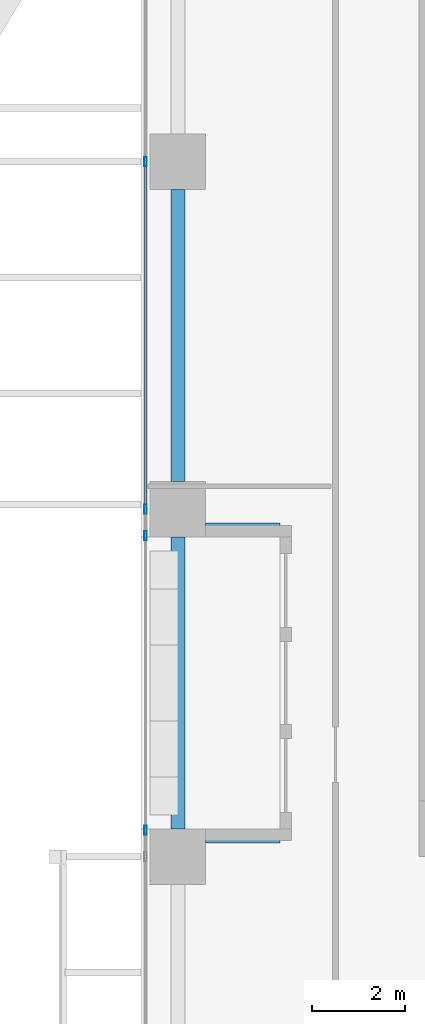
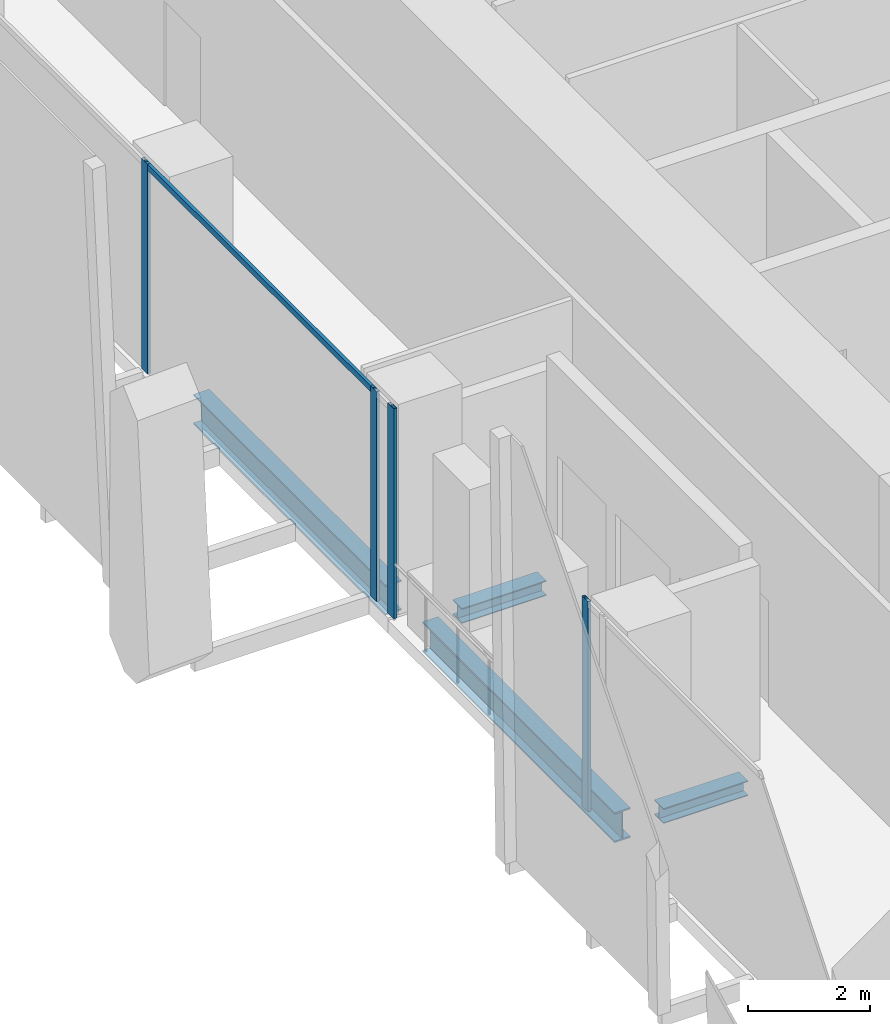
# One storey, part 5 of 35: 5 members, 4 beams, 2 elements without a shape of their own.
"""IFC4 building model written with IfcOpenShell, lengths in metres."""

from ifc_helpers import new_model, si_unit, direction, frame, origin, origin_2d, place, context, subcontext, project, spatial, hollow_rectangle, i_section, extrude, source, transform, mapped, material, material_profile, profile_set, type_object, element, aggregate, save


model = new_model("IFC4")

# Units and contexts
model_context = context("Model", 3, precision=1e-05, world=origin(), true_north=direction((0.0, 1.0)))
body_context = subcontext(model_context, "Body", "Model", "MODEL_VIEW")
ifc_project = project(units=[si_unit("LENGTHUNIT", "METRE"), si_unit("AREAUNIT", "SQUARE_METRE"), si_unit("VOLUMEUNIT", "CUBIC_METRE"), si_unit("PLANEANGLEUNIT", "RADIAN"), si_unit("MASSUNIT", "GRAM", prefix="KILO")], contexts=[model_context])

# Site, building, storey
site_placement = place(None, origin())
site = spatial("IfcSite", under=ifc_project, at=site_placement, CompositionType="ELEMENT")
building_placement = place(site_placement, origin())
building = spatial("IfcBuilding", under=site, at=building_placement, Name="Khomas Fold Tower", CompositionType="ELEMENT")
storey_placement = place(building_placement, frame((0.0, 0.0, 87.0)))
storey = spatial("IfcBuildingStorey", under=building, at=storey_placement, Name="L18", CompositionType="ELEMENT", Elevation=87.0)

# Beams
ifc_material_1 = material(Name="Steel S355", Category="steel")
ifc_material_profile_1 = material_profile(ifc_material_1, i_section(OverallWidth=0.300048828125, OverallDepth=0.60009765625, WebThickness=0.015380859375, FlangeThickness=0.030029296875, at=origin_2d()), Name="HE 600 B")
ifc_profile_set_1 = profile_set([ifc_material_profile_1], Name="Steel S355")
beam_type_1 = type_object("IfcBeamType", Name="HE 600 B spandrel SB1", PredefinedType="SPANDREL", material=ifc_profile_set_1)
shared_shape_1 = source(origin(), body_context, "Body", "SweptSolid", [
    extrude(i_section(OverallWidth=0.300048828125, OverallDepth=0.60009765625, WebThickness=0.015380859375, FlangeThickness=0.030029296875, at=origin_2d()), origin(), (0.0, 0.0, 1.0), 6.2998046875),
])
for number, where, z_axis, x_axis, name in (
    (1, (0.800048828125, 20.10009765625, -0.60009765625), (0.0, 1.0, 0.0), (-1.0, 0.0, 0.0), "SB1"),
    (2, (0.800048828125, 12.60009765625, -0.60009765625), (0.0, 1.0, 0.0), (-1.0, 0.0, 0.0), "SB1"),
):
    element("IfcBeam", number, at=place(storey_placement, frame(where, z_axis=z_axis, x_axis=x_axis)), inside=storey, type_object=beam_type_1, Name=name, PredefinedType="SPANDREL", context=body_context, shape_type="MappedRepresentation", body=[
        mapped(shared_shape_1, transform((0.0, 0.0, 0.0))),
    ])
ifc_material_2 = material(Name="Steel S355", Category="steel")
ifc_material_profile_2 = material_profile(ifc_material_2, i_section(OverallWidth=0.300048828125, OverallDepth=0.300048828125, WebThickness=0.010986328125, FlangeThickness=0.01904296875, at=origin_2d()), Name="HE 300 B")
ifc_profile_set_2 = profile_set([ifc_material_profile_2], Name="Steel S355")
beam_type_2 = type_object("IfcBeamType", Name="HE 300 B beam BB1", PredefinedType="BEAM", material=ifc_profile_set_2)
shared_shape_2 = source(origin(), body_context, "Body", "SweptSolid", [
    extrude(i_section(OverallWidth=0.300048828125, OverallDepth=0.300048828125, WebThickness=0.010986328125, FlangeThickness=0.01904296875, at=origin_2d()), origin(), (0.0, 0.0, 1.0), 1.60009765625),
])
for number, where, z_axis, x_axis, name in (
    (3, (1.39990234375, 12.449951171875, -0.449951171875), (1.0, 0.0, 0.0), (0.0, 1.0, 0.0), "BB1"),
    (4, (1.39990234375, 19.050048828125, -0.449951171875), (1.0, 0.0, 0.0), (0.0, 1.0, 0.0), "BB1"),
):
    element("IfcBeam", number, at=place(storey_placement, frame(where, z_axis=z_axis, x_axis=x_axis)), inside=storey, type_object=beam_type_2, Name=name, PredefinedType="BEAM", context=body_context, shape_type="MappedRepresentation", body=[
        mapped(shared_shape_2, transform((0.0, 0.0, 0.0))),
    ])

# Curtain wall, members
ifc_material_3 = material(Name="Aluminium framed double glazing", Category="aluminium")
curtain_wall_type = type_object("IfcCurtainWallType", Name="SK-Unitised clear-glass wall, growing floors CW1", PredefinedType="NOTDEFINED", material=ifc_material_3)
curtain_wall_1_placement = place(storey_placement, origin())
curtain_wall_1 = element("IfcCurtainWall", 5, at=curtain_wall_1_placement, inside=storey, type_object=curtain_wall_type, Name="CW1 run L18 09-0", PredefinedType="NOTDEFINED")
ifc_material_4 = material(Name="Aluminium", Category="aluminium")
ifc_material_profile_3 = material_profile(ifc_material_4, hollow_rectangle(XDim=0.06005859375, YDim=0.1201171875, WallThickness=0.00390625, at=origin_2d()), Name="SK-Unitised clear-glass wall, growing floors transom CW1-T")
ifc_profile_set_3 = profile_set([ifc_material_profile_3], Name="Aluminium")
member_type_1 = type_object("IfcMemberType", Name="SK-Unitised clear-glass wall, growing floors transom CW1-T", PredefinedType="USERDEFINED", material=ifc_profile_set_3)
shared_shape_3 = source(origin(), body_context, "Body", "SweptSolid", [
    extrude(hollow_rectangle(XDim=0.06005859375, YDim=0.1201171875, WallThickness=0.00390625, at=origin_2d()), origin(), (0.0, 0.0, 1.0), 7.43994140625),
])
member_1_placement = place(storey_placement, frame((0.10009765625, 26.969970703125, 4.139892578125), z_axis=(0.0, -1.0, 0.0), x_axis=(1.0, 0.0, 0.0)))
member_1 = element("IfcMember", 6, at=member_1_placement, type_object=member_type_1, Name="CW1 transom 5", ObjectType="TRANSOM", PredefinedType="USERDEFINED", context=body_context, shape_type="MappedRepresentation", body=[
    mapped(shared_shape_3, transform((0.0, 0.0, 0.0))),
])
ifc_material_5 = material(Name="Aluminium", Category="aluminium")
ifc_material_profile_4 = material_profile(ifc_material_5, hollow_rectangle(XDim=0.06005859375, YDim=0.199951171875, WallThickness=0.00390625, at=origin_2d()), Name="SK-Unitised clear-glass wall, growing floors mullion CW1-M")
ifc_profile_set_4 = profile_set([ifc_material_profile_4], Name="Aluminium")
member_type_2 = type_object("IfcMemberType", Name="SK-Unitised clear-glass wall, growing floors mullion CW1-M", PredefinedType="MULLION", material=ifc_profile_set_4)
shared_shape_4 = source(origin(), body_context, "Body", "SweptSolid", [
    extrude(hollow_rectangle(XDim=0.06005859375, YDim=0.199951171875, WallThickness=0.00390625, at=origin_2d()), origin(), (0.0, 0.0, 1.0), 4.199951171875),
])
member_2_placement = place(storey_placement, frame((0.10009765625, 27.0, 0.0), z_axis=(0.0, 0.0, 1.0), x_axis=(1.0, 0.0, 0.0)))
member_2 = element("IfcMember", 7, at=member_2_placement, type_object=member_type_2, Name="CW1 mullion 5", PredefinedType="MULLION", context=body_context, shape_type="MappedRepresentation", body=[
    mapped(shared_shape_4, transform((0.0, 0.0, 0.0))),
])
member_3_placement = place(storey_placement, frame((0.10009765625, 19.5, 0.0), z_axis=(0.0, 0.0, 1.0), x_axis=(1.0, 0.0, 0.0)))
member_3 = element("IfcMember", 8, at=member_3_placement, type_object=member_type_2, Name="CW1 mullion 6", PredefinedType="MULLION", context=body_context, shape_type="MappedRepresentation", body=[
    mapped(shared_shape_4, transform((0.0, 0.0, 0.0))),
])
member_4_placement = place(storey_placement, frame((0.10009765625, 18.929931640625, 0.0), z_axis=(0.0, 0.0, 1.0), x_axis=(1.0, 0.0, 0.0)))
member_4 = element("IfcMember", 9, at=member_4_placement, type_object=member_type_2, Name="CW1 mullion 7", PredefinedType="MULLION", context=body_context, shape_type="MappedRepresentation", body=[
    mapped(shared_shape_4, transform((0.0, 0.0, 0.0))),
])
aggregate(curtain_wall_1, [member_2, member_3, member_4, member_1])

# Curtain wall, member
curtain_wall_2_placement = place(storey_placement, origin())
curtain_wall_2 = element("IfcCurtainWall", 10, at=curtain_wall_2_placement, inside=storey, type_object=curtain_wall_type, Name="CW1 run L18 09-1", PredefinedType="NOTDEFINED")
member_5_placement = place(storey_placement, frame((0.10009765625, 12.570068359375, 0.0), z_axis=(0.0, 0.0, 1.0), x_axis=(1.0, 0.0, 0.0)))
member_5 = element("IfcMember", 11, at=member_5_placement, type_object=member_type_2, Name="CW1 mullion 1", PredefinedType="MULLION", context=body_context, shape_type="MappedRepresentation", body=[
    mapped(shared_shape_4, transform((0.0, 0.0, 0.0))),
])
aggregate(curtain_wall_2, [member_5])

save(model, "model.ifc")
